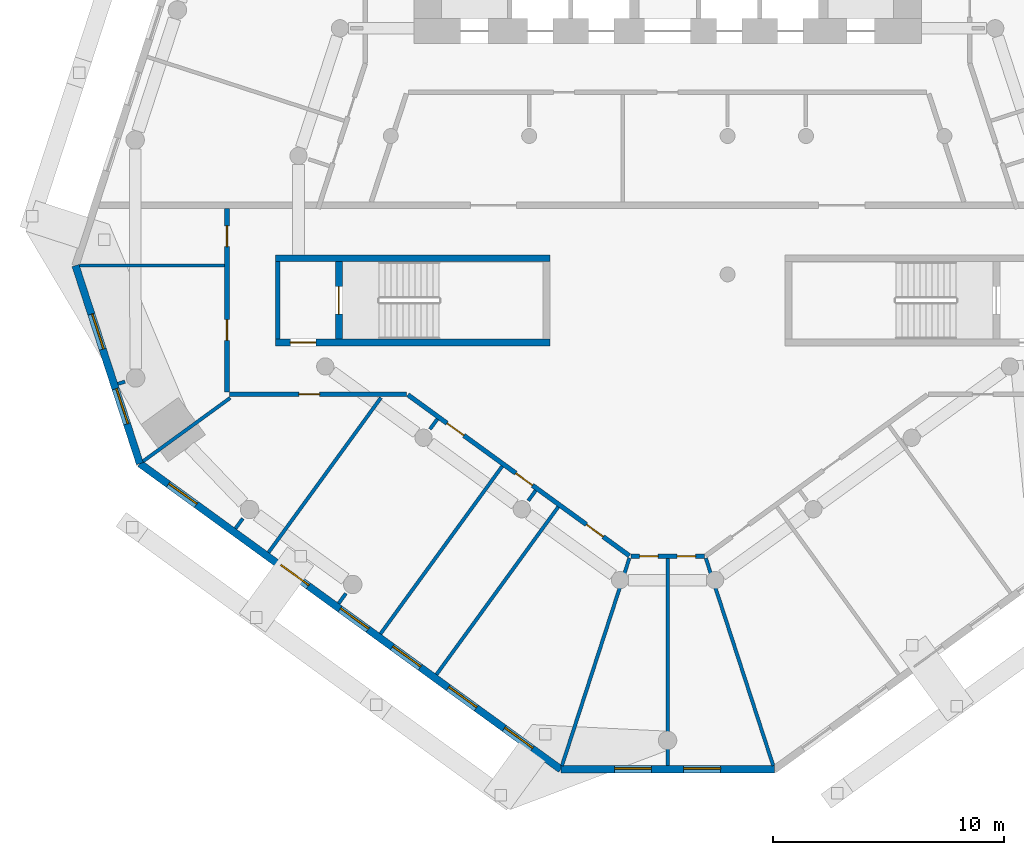
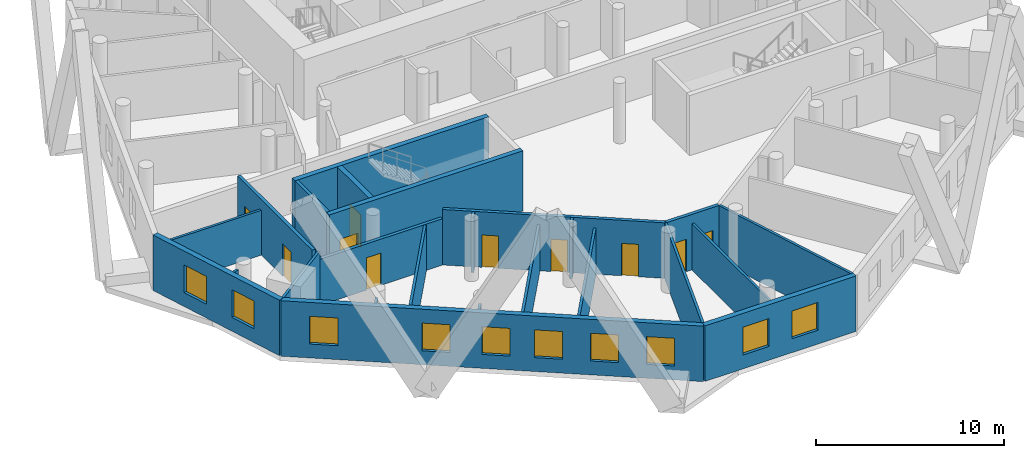
# One storey, part 3 of 10: 24 walls, 10 doors, 10 windows, 20 openings.
"""IFC4 building model written with IfcOpenShell, lengths in metres."""

from ifc_helpers import new_model, si_unit, direction, frame, frame_2d, origin, place, context, subcontext, project, spatial, rectangle, extrude, material, layer, layer_set, type_object, element, fill, save


model = new_model("IFC4")

# Units and contexts
model_context = context("Model", 3, precision=1e-05, world=origin(), true_north=direction((0.0, 1.0)))
body_context = subcontext(model_context, "Body", "Model", "MODEL_VIEW")
ifc_project = project(units=[si_unit("LENGTHUNIT", "METRE"), si_unit("AREAUNIT", "SQUARE_METRE"), si_unit("VOLUMEUNIT", "CUBIC_METRE"), si_unit("PLANEANGLEUNIT", "RADIAN"), si_unit("MASSUNIT", "GRAM", prefix="KILO")], contexts=[model_context])

# Site, building, storey
site_placement = place(None, origin())
site = spatial("IfcSite", under=ifc_project, at=site_placement, CompositionType="ELEMENT")
building_placement = place(site_placement, origin())
building = spatial("IfcBuilding", under=site, at=building_placement, Name="White Candle Pilgrim Tower", CompositionType="ELEMENT")
storey_placement = place(building_placement, frame((0.0, 0.0, 102.5)))
storey = spatial("IfcBuildingStorey", under=building, at=storey_placement, Name="L22", CompositionType="ELEMENT", Elevation=102.5)

# Wall
ifc_material_1 = material(Name="Concrete C60/75", Category="concrete")
ifc_layer_1 = layer(ifc_material_1, 0.199951171875)
ifc_layer_set_1 = layer_set([ifc_layer_1], Name="Core wall 200 mm Concrete C60/75")
wall_type_1 = type_object("IfcWallType", Name="Core wall 200 mm Concrete C60/75", PredefinedType="SHEAR", material=ifc_layer_set_1)
wall_1_placement = place(storey_placement, frame((53.10009765625, 58.199951171875, 0.0), z_axis=(0.0, 0.0, 1.0), x_axis=(0.0, 1.0, 0.0)))
element("IfcWall", 1, at=wall_1_placement, inside=storey, type_object=wall_type_1, Name="WL-L22-C03", PredefinedType="SHEAR", context=body_context, shape_type="SweptSolid", body=[
    extrude(rectangle(XDim=3.35009765625, YDim=0.199951171875, at=frame_2d((1.675048828125, 0.0))), origin(), (0.0, 0.0, 1.0), 3.89990234375),
])

# Wall, openings, doors
ifc_material_2 = material(Name="Gypsum board on steel studs", Category="steel")
ifc_layer_2 = layer(ifc_material_2, 0.199951171875)
ifc_layer_set_2 = layer_set([ifc_layer_2], Name="Corridor wall 200 mm EI 45")
wall_type_2 = type_object("IfcWallType", Name="Corridor wall 200 mm EI 45", PredefinedType="PARTITIONING", material=ifc_layer_set_2)
wall_2_placement = place(storey_placement, frame((71.59619140625, 48.78515625, 0.0), z_axis=(0.0, 0.0, 1.0), x_axis=(-1.0, 0.0, 0.0)))
wall_2 = element("IfcWall", 2, at=wall_2_placement, inside=storey, type_object=wall_type_2, Name="WL-L22-P009", PredefinedType="PARTITIONING", context=body_context, shape_type="SweptSolid", body=[
    extrude(rectangle(XDim=3.1923828125, YDim=0.199951171875, at=frame_2d((1.59619140625, 0.0))), origin(), (0.0, 0.0, 1.0), 3.60009765625),
])
opening_1_placement = place(wall_2_placement, frame((2.0107421875, 0.0, 0.0)))
opening_1 = element("IfcOpeningElement", 3, at=opening_1_placement, cuts=wall_2, Name="Opening T07-106", PredefinedType="OPENING", context=body_context, shape_type="SweptSolid", body=[
    extrude(rectangle(XDim=0.800048828125, YDim=2.10009765625, at=frame_2d((0.39990234375, 1.050048828125))), frame((0.0, 0.10986328125, 0.0), z_axis=(0.0, -1.0, 0.0), x_axis=(1.0, 0.0, 0.0)), (0.0, 0.0, 1.0), 0.219970703125),
])
opening_2_placement = place(wall_2_placement, frame((0.3818359375, 0.0, 0.0)))
opening_2 = element("IfcOpeningElement", 4, at=opening_2_placement, cuts=wall_2, Name="Opening T07-107", PredefinedType="OPENING", context=body_context, shape_type="SweptSolid", body=[
    extrude(rectangle(XDim=0.800048828125, YDim=2.10009765625, at=frame_2d((0.39990234375, 1.050048828125))), frame((0.0, 0.10986328125, 0.0), z_axis=(0.0, -1.0, 0.0), x_axis=(1.0, 0.0, 0.0)), (0.0, 0.0, 1.0), 0.219970703125),
])
ifc_material_3 = material(Name="Steel door leaf", Category="steel")
door_type_1 = type_object("IfcDoorType", Name="Fire door 800 x 2100 EI 30", OperationType="NOTDEFINED", PredefinedType="DOOR", material=ifc_material_3)
door_1_placement = place(opening_1_placement, origin())
door_1 = element("IfcDoor", 5, at=door_1_placement, inside=storey, type_object=door_type_1, Name="Door T07-106", OperationType="SINGLE_SWING_RIGHT", OverallHeight=2.10009765625, OverallWidth=0.800048828125, PredefinedType="DOOR", context=body_context, shape_type="SweptSolid", body=[
    extrude(rectangle(XDim=0.800048828125, YDim=2.10009765625, at=frame_2d((0.39990234375, 1.050048828125))), frame((0.0, 0.02490234375, 0.0), z_axis=(0.0, -1.0, 0.0), x_axis=(1.0, 0.0, 0.0)), (0.0, 0.0, 1.0), 0.050048828125),
])
fill(opening_1, door_1)
door_2_placement = place(opening_2_placement, origin())
door_2 = element("IfcDoor", 6, at=door_2_placement, inside=storey, type_object=door_type_1, Name="Door T07-107", OperationType="SINGLE_SWING_LEFT", OverallHeight=2.10009765625, OverallWidth=0.800048828125, PredefinedType="DOOR", context=body_context, shape_type="SweptSolid", body=[
    extrude(rectangle(XDim=0.800048828125, YDim=2.10009765625, at=frame_2d((0.39990234375, 1.050048828125))), frame((0.0, 0.02490234375, 0.0), z_axis=(0.0, -1.0, 0.0), x_axis=(1.0, 0.0, 0.0)), (0.0, 0.0, 1.0), 0.050048828125),
])
fill(opening_2, door_2)

wall_3_placement = place(storey_placement, frame((68.344970703125, 48.80419921875, 0.0), z_axis=(0.0, 0.0, 1.0), x_axis=(-0.809017945603, 0.587783943037, 0.0)))
wall_3 = element("IfcWall", 7, at=wall_3_placement, inside=storey, type_object=wall_type_2, Name="WL-L22-P010", PredefinedType="PARTITIONING", context=body_context, shape_type="SweptSolid", body=[
    extrude(rectangle(XDim=11.86962890625, YDim=0.199951171875, at=frame_2d((5.934814453125, 0.0))), origin(), (0.0, 0.0, 1.0), 3.60009765625),
])
opening_3_placement = place(wall_3_placement, frame((8.87158203125, 0.0, 0.0)))
opening_3 = element("IfcOpeningElement", 8, at=opening_3_placement, cuts=wall_3, Name="Opening T07-103", PredefinedType="OPENING", context=body_context, shape_type="SweptSolid", body=[
    extrude(rectangle(XDim=0.89990234375, YDim=2.10009765625, at=frame_2d((0.449951171875, 1.050048828125))), frame((0.0, 0.10986328125, 0.0), z_axis=(0.0, -1.0, 0.0), x_axis=(1.0, 0.0, 0.0)), (0.0, 0.0, 1.0), 0.219970703125),
])
opening_4_placement = place(wall_3_placement, frame((5.19091796875, 0.0, 0.0)))
opening_4 = element("IfcOpeningElement", 9, at=opening_4_placement, cuts=wall_3, Name="Opening T07-104", PredefinedType="OPENING", context=body_context, shape_type="SweptSolid", body=[
    extrude(rectangle(XDim=0.89990234375, YDim=2.10009765625, at=frame_2d((0.449951171875, 1.050048828125))), frame((0.0, 0.10986328125, 0.0), z_axis=(0.0, -1.0, 0.0), x_axis=(1.0, 0.0, 0.0)), (0.0, 0.0, 1.0), 0.219970703125),
])
opening_5_placement = place(wall_3_placement, frame((1.404296875, 0.0, 0.0)))
opening_5 = element("IfcOpeningElement", 10, at=opening_5_placement, cuts=wall_3, Name="Opening T07-105", PredefinedType="OPENING", context=body_context, shape_type="SweptSolid", body=[
    extrude(rectangle(XDim=0.89990234375, YDim=2.10009765625, at=frame_2d((0.449951171875, 1.050048828125))), frame((0.0, 0.10986328125, 0.0), z_axis=(0.0, -1.0, 0.0), x_axis=(1.0, 0.0, 0.0)), (0.0, 0.0, 1.0), 0.219970703125),
])
door_type_2 = type_object("IfcDoorType", Name="Fire door 900 x 2100 EI 30", OperationType="NOTDEFINED", PredefinedType="DOOR", material=ifc_material_3)
door_3_placement = place(opening_3_placement, origin())
door_3 = element("IfcDoor", 11, at=door_3_placement, inside=storey, type_object=door_type_2, Name="Door T07-103", OperationType="SINGLE_SWING_LEFT", OverallHeight=2.10009765625, OverallWidth=0.89990234375, PredefinedType="DOOR", context=body_context, shape_type="SweptSolid", body=[
    extrude(rectangle(XDim=0.89990234375, YDim=2.10009765625, at=frame_2d((0.449951171875, 1.050048828125))), frame((0.0, 0.02490234375, 0.0), z_axis=(0.0, -1.0, 0.0), x_axis=(1.0, 0.0, 0.0)), (0.0, 0.0, 1.0), 0.050048828125),
])
fill(opening_3, door_3)
door_4_placement = place(opening_4_placement, origin())
door_4 = element("IfcDoor", 12, at=door_4_placement, inside=storey, type_object=door_type_2, Name="Door T07-104", OperationType="SINGLE_SWING_RIGHT", OverallHeight=2.10009765625, OverallWidth=0.89990234375, PredefinedType="DOOR", context=body_context, shape_type="SweptSolid", body=[
    extrude(rectangle(XDim=0.89990234375, YDim=2.10009765625, at=frame_2d((0.449951171875, 1.050048828125))), frame((0.0, 0.02490234375, 0.0), z_axis=(0.0, -1.0, 0.0), x_axis=(1.0, 0.0, 0.0)), (0.0, 0.0, 1.0), 0.050048828125),
])
fill(opening_4, door_4)
door_5_placement = place(opening_5_placement, origin())
door_5 = element("IfcDoor", 13, at=door_5_placement, inside=storey, type_object=door_type_2, Name="Door T07-105", OperationType="SINGLE_SWING_LEFT", OverallHeight=2.10009765625, OverallWidth=0.89990234375, PredefinedType="DOOR", context=body_context, shape_type="SweptSolid", body=[
    extrude(rectangle(XDim=0.89990234375, YDim=2.10009765625, at=frame_2d((0.449951171875, 1.050048828125))), frame((0.0, 0.02490234375, 0.0), z_axis=(0.0, -1.0, 0.0), x_axis=(1.0, 0.0, 0.0)), (0.0, 0.0, 1.0), 0.050048828125),
])
fill(opening_5, door_5)

# Wall, opening, door
wall_4_placement = place(storey_placement, frame((58.68359375, 55.800048828125, 0.0), z_axis=(0.0, 0.0, 1.0), x_axis=(-1.0, 0.0, 0.0)))
wall_4 = element("IfcWall", 14, at=wall_4_placement, inside=storey, type_object=wall_type_2, Name="WL-L22-P011", PredefinedType="PARTITIONING", context=body_context, shape_type="SweptSolid", body=[
    extrude(rectangle(XDim=7.68359375, YDim=0.199951171875, at=frame_2d((3.841796875, 0.0))), origin(), (0.0, 0.0, 1.0), 3.0),
])
opening_6_placement = place(wall_4_placement, frame((3.767822265625, 0.0, 0.0)))
opening_6 = element("IfcOpeningElement", 15, at=opening_6_placement, cuts=wall_4, Name="Opening T07-102", PredefinedType="OPENING", context=body_context, shape_type="SweptSolid", body=[
    extrude(rectangle(XDim=0.89990234375, YDim=2.10009765625, at=frame_2d((0.449951171875, 1.050048828125))), frame((0.0, 0.10986328125, 0.0), z_axis=(0.0, -1.0, 0.0), x_axis=(1.0, 0.0, 0.0)), (0.0, 0.0, 1.0), 0.219970703125),
])
door_6_placement = place(opening_6_placement, origin())
door_6 = element("IfcDoor", 16, at=door_6_placement, inside=storey, type_object=door_type_2, Name="Door T07-102", OperationType="SINGLE_SWING_RIGHT", OverallHeight=2.10009765625, OverallWidth=0.89990234375, PredefinedType="DOOR", context=body_context, shape_type="SweptSolid", body=[
    extrude(rectangle(XDim=0.89990234375, YDim=2.10009765625, at=frame_2d((0.449951171875, 1.050048828125))), frame((0.0, 0.02490234375, 0.0), z_axis=(0.0, -1.0, 0.0), x_axis=(1.0, 0.0, 0.0)), (0.0, 0.0, 1.0), 0.050048828125),
])
fill(opening_6, door_6)

# Wall, openings, doors
wall_5_placement = place(storey_placement, frame((50.89990234375, 55.89990234375, 0.0), z_axis=(0.0, 0.0, 1.0), x_axis=(0.0, 1.0, 0.0)))
wall_5 = element("IfcWall", 17, at=wall_5_placement, inside=storey, type_object=wall_type_2, Name="WL-L22-P012", PredefinedType="PARTITIONING", context=body_context, shape_type="SweptSolid", body=[
    extrude(rectangle(XDim=7.9501953125, YDim=0.199951171875, at=frame_2d((3.97509765625, 0.0))), origin(), (0.0, 0.0, 1.0), 3.60009765625),
])
opening_7_placement = place(wall_5_placement, frame((2.243408203125, 0.0, 0.0)))
opening_7 = element("IfcOpeningElement", 18, at=opening_7_placement, cuts=wall_5, Name="Opening T07-101", PredefinedType="OPENING", context=body_context, shape_type="SweptSolid", body=[
    extrude(rectangle(XDim=0.89990234375, YDim=2.10009765625, at=frame_2d((0.449951171875, 1.050048828125))), frame((0.0, 0.10986328125, 0.0), z_axis=(0.0, -1.0, 0.0), x_axis=(1.0, 0.0, 0.0)), (0.0, 0.0, 1.0), 0.219970703125),
])
opening_8_placement = place(wall_5_placement, frame((6.305908203125, 0.0, 0.0)))
opening_8 = element("IfcOpeningElement", 19, at=opening_8_placement, cuts=wall_5, Name="Opening T07-116", PredefinedType="OPENING", context=body_context, shape_type="SweptSolid", body=[
    extrude(rectangle(XDim=0.89990234375, YDim=2.10009765625, at=frame_2d((0.449951171875, 1.050048828125))), frame((0.0, 0.10986328125, 0.0), z_axis=(0.0, -1.0, 0.0), x_axis=(1.0, 0.0, 0.0)), (0.0, 0.0, 1.0), 0.219970703125),
])
door_7_placement = place(opening_7_placement, origin())
door_7 = element("IfcDoor", 20, at=door_7_placement, inside=storey, type_object=door_type_2, Name="Door T07-101", OperationType="SINGLE_SWING_LEFT", OverallHeight=2.10009765625, OverallWidth=0.89990234375, PredefinedType="DOOR", context=body_context, shape_type="SweptSolid", body=[
    extrude(rectangle(XDim=0.89990234375, YDim=2.10009765625, at=frame_2d((0.449951171875, 1.050048828125))), frame((0.0, 0.02490234375, 0.0), z_axis=(0.0, -1.0, 0.0), x_axis=(1.0, 0.0, 0.0)), (0.0, 0.0, 1.0), 0.050048828125),
])
fill(opening_7, door_7)
door_8_placement = place(opening_8_placement, origin())
door_8 = element("IfcDoor", 21, at=door_8_placement, inside=storey, type_object=door_type_2, Name="Door T07-116", OperationType="SINGLE_SWING_RIGHT", OverallHeight=2.10009765625, OverallWidth=0.89990234375, PredefinedType="DOOR", context=body_context, shape_type="SweptSolid", body=[
    extrude(rectangle(XDim=0.89990234375, YDim=2.10009765625, at=frame_2d((0.449951171875, 1.050048828125))), frame((0.0, 0.02490234375, 0.0), z_axis=(0.0, -1.0, 0.0), x_axis=(1.0, 0.0, 0.0)), (0.0, 0.0, 1.0), 0.050048828125),
])
fill(opening_8, door_8)

# Wall, openings, windows
ifc_material_4 = material(Name="Precast concrete C40/50", Category="concrete")
ifc_layer_3 = layer(ifc_material_4, 0.320068359375)
ifc_layer_set_3 = layer_set([ifc_layer_3], Name="Facade wall EW1 precast concrete C40/50 pier wall with timber-lined reveals")
wall_type_3 = type_object("IfcWallType", Name="Facade wall EW1 precast concrete C40/50 pier wall with timber-lined reveals", PredefinedType="SOLIDWALL", material=ifc_layer_set_3)
wall_6_placement = place(storey_placement, frame((44.33447265625, 61.38671875, 0.0), z_axis=(0.0, 0.0, 1.0), x_axis=(0.309014528868, -0.951057317384, 0.0)))
wall_6 = element("IfcWall", 22, at=wall_6_placement, inside=storey, type_object=wall_type_3, Name="Facade wall L22 W chamfer", PredefinedType="SOLIDWALL", context=body_context, shape_type="SweptSolid", body=[
    extrude(rectangle(XDim=9.028076171875, YDim=0.320068359375, at=frame_2d((4.51416015625, 0.0))), origin(), (0.0, 0.0, 1.0), 3.60009765625),
])
opening_9_placement = place(wall_6_placement, frame((2.214111328125, 0.0, 0.89990234375)))
opening_9 = element("IfcOpeningElement", 23, at=opening_9_placement, cuts=wall_6, Name="Opening W2", PredefinedType="OPENING", context=body_context, shape_type="SweptSolid", body=[
    extrude(rectangle(XDim=1.60009765625, YDim=1.800048828125, at=frame_2d((0.800048828125, 0.89990234375))), frame((0.0, 0.169921875, 0.0), z_axis=(0.0, -1.0, 0.0), x_axis=(1.0, 0.0, 0.0)), (0.0, 0.0, 1.0), 0.340087890625),
])
opening_10_placement = place(wall_6_placement, frame((5.622314453125, 0.0, 0.89990234375)))
opening_10 = element("IfcOpeningElement", 24, at=opening_10_placement, cuts=wall_6, Name="Opening W2", PredefinedType="OPENING", context=body_context, shape_type="SweptSolid", body=[
    extrude(rectangle(XDim=1.60009765625, YDim=1.800048828125, at=frame_2d((0.800048828125, 0.89990234375))), frame((0.0, 0.169921875, 0.0), z_axis=(0.0, -1.0, 0.0), x_axis=(1.0, 0.0, 0.0)), (0.0, 0.0, 1.0), 0.340087890625),
])
ifc_material_5 = material(Name="Timber frame with triple glazing", Category="wood")
window_type_1 = type_object("IfcWindowType", Name="Window W2 1600x1800 timber frame triple glazing", PartitioningType="SINGLE_PANEL", PredefinedType="WINDOW", material=ifc_material_5)
window_1_placement = place(opening_9_placement, origin())
window_1 = element("IfcWindow", 25, at=window_1_placement, inside=storey, type_object=window_type_1, Name="Window W2 L22 W chamfer 1", OverallHeight=1.800048828125, OverallWidth=1.60009765625, PartitioningType="SINGLE_PANEL", PredefinedType="WINDOW", context=body_context, shape_type="SweptSolid", body=[
    extrude(rectangle(XDim=1.60009765625, YDim=1.800048828125, at=frame_2d((0.800048828125, 0.89990234375))), frame((0.0, 0.070068359375, 0.0), z_axis=(0.0, -1.0, 0.0), x_axis=(1.0, 0.0, 0.0)), (0.0, 0.0, 1.0), 0.06005859375),
])
fill(opening_9, window_1)
window_2_placement = place(opening_10_placement, origin())
window_2 = element("IfcWindow", 26, at=window_2_placement, inside=storey, type_object=window_type_1, Name="Window W2 L22 W chamfer 2", OverallHeight=1.800048828125, OverallWidth=1.60009765625, PartitioningType="SINGLE_PANEL", PredefinedType="WINDOW", context=body_context, shape_type="SweptSolid", body=[
    extrude(rectangle(XDim=1.60009765625, YDim=1.800048828125, at=frame_2d((0.800048828125, 0.89990234375))), frame((0.0, 0.070068359375, 0.0), z_axis=(0.0, -1.0, 0.0), x_axis=(1.0, 0.0, 0.0)), (0.0, 0.0, 1.0), 0.06005859375),
])
fill(opening_10, window_2)

wall_7_placement = place(storey_placement, frame((47.124267578125, 52.800537109375, 0.0), z_axis=(0.0, 0.0, 1.0), x_axis=(0.809019687389, -0.587781545659, 0.0)))
wall_7 = element("IfcWall", 27, at=wall_7_placement, inside=storey, type_object=wall_type_3, Name="Facade wall L22 SW", PredefinedType="SOLIDWALL", context=body_context, shape_type="SweptSolid", body=[
    extrude(rectangle(XDim=22.551513671875, YDim=0.320068359375, at=frame_2d((11.27587890625, 0.0))), origin(), (0.0, 0.0, 1.0), 3.60009765625),
])
opening_11_placement = place(wall_7_placement, frame((1.52587890625, 0.0, 0.89990234375)))
opening_11 = element("IfcOpeningElement", 28, at=opening_11_placement, cuts=wall_7, Name="Opening W1", PredefinedType="OPENING", context=body_context, shape_type="SweptSolid", body=[
    extrude(rectangle(XDim=1.5, YDim=1.800048828125, at=frame_2d((0.75, 0.89990234375))), frame((0.0, 0.169921875, 0.0), z_axis=(0.0, -1.0, 0.0), x_axis=(1.0, 0.0, 0.0)), (0.0, 0.0, 1.0), 0.340087890625),
])
opening_12_placement = place(wall_7_placement, frame((7.52587890625, 0.0, 0.89990234375)))
opening_12 = element("IfcOpeningElement", 29, at=opening_12_placement, cuts=wall_7, Name="Opening W1", PredefinedType="OPENING", context=body_context, shape_type="SweptSolid", body=[
    extrude(rectangle(XDim=1.5, YDim=1.800048828125, at=frame_2d((0.75, 0.89990234375))), frame((0.0, 0.169921875, 0.0), z_axis=(0.0, -1.0, 0.0), x_axis=(1.0, 0.0, 0.0)), (0.0, 0.0, 1.0), 0.340087890625),
])
opening_13_placement = place(wall_7_placement, frame((10.725830078125, 0.0, 0.89990234375)))
opening_13 = element("IfcOpeningElement", 30, at=opening_13_placement, cuts=wall_7, Name="Opening W1", PredefinedType="OPENING", context=body_context, shape_type="SweptSolid", body=[
    extrude(rectangle(XDim=1.5, YDim=1.800048828125, at=frame_2d((0.75, 0.89990234375))), frame((0.0, 0.169921875, 0.0), z_axis=(0.0, -1.0, 0.0), x_axis=(1.0, 0.0, 0.0)), (0.0, 0.0, 1.0), 0.340087890625),
])
opening_14_placement = place(wall_7_placement, frame((13.52587890625, 0.0, 0.89990234375)))
opening_14 = element("IfcOpeningElement", 31, at=opening_14_placement, cuts=wall_7, Name="Opening W1", PredefinedType="OPENING", context=body_context, shape_type="SweptSolid", body=[
    extrude(rectangle(XDim=1.5, YDim=1.800048828125, at=frame_2d((0.75, 0.89990234375))), frame((0.0, 0.169921875, 0.0), z_axis=(0.0, -1.0, 0.0), x_axis=(1.0, 0.0, 0.0)), (0.0, 0.0, 1.0), 0.340087890625),
])
opening_15_placement = place(wall_7_placement, frame((16.52587890625, 0.0, 0.89990234375)))
opening_15 = element("IfcOpeningElement", 32, at=opening_15_placement, cuts=wall_7, Name="Opening W1", PredefinedType="OPENING", context=body_context, shape_type="SweptSolid", body=[
    extrude(rectangle(XDim=1.5, YDim=1.800048828125, at=frame_2d((0.75, 0.89990234375))), frame((0.0, 0.169921875, 0.0), z_axis=(0.0, -1.0, 0.0), x_axis=(1.0, 0.0, 0.0)), (0.0, 0.0, 1.0), 0.340087890625),
])
opening_16_placement = place(wall_7_placement, frame((19.52587890625, 0.0, 0.89990234375)))
opening_16 = element("IfcOpeningElement", 33, at=opening_16_placement, cuts=wall_7, Name="Opening W1", PredefinedType="OPENING", context=body_context, shape_type="SweptSolid", body=[
    extrude(rectangle(XDim=1.5, YDim=1.800048828125, at=frame_2d((0.75, 0.89990234375))), frame((0.0, 0.169921875, 0.0), z_axis=(0.0, -1.0, 0.0), x_axis=(1.0, 0.0, 0.0)), (0.0, 0.0, 1.0), 0.340087890625),
])
window_type_2 = type_object("IfcWindowType", Name="Window W1 1500x1800 timber frame triple glazing", PartitioningType="SINGLE_PANEL", PredefinedType="WINDOW", material=ifc_material_5)
window_3_placement = place(opening_11_placement, origin())
window_3 = element("IfcWindow", 34, at=window_3_placement, inside=storey, type_object=window_type_2, Name="Window W1 L22 SW 1", OverallHeight=1.800048828125, OverallWidth=1.5, PartitioningType="SINGLE_PANEL", PredefinedType="WINDOW", context=body_context, shape_type="SweptSolid", body=[
    extrude(rectangle(XDim=1.5, YDim=1.800048828125, at=frame_2d((0.75, 0.89990234375))), frame((0.0, 0.070068359375, 0.0), z_axis=(0.0, -1.0, 0.0), x_axis=(1.0, 0.0, 0.0)), (0.0, 0.0, 1.0), 0.06005859375),
])
fill(opening_11, window_3)
window_4_placement = place(opening_12_placement, origin())
window_4 = element("IfcWindow", 35, at=window_4_placement, inside=storey, type_object=window_type_2, Name="Window W1 L22 SW 3", OverallHeight=1.800048828125, OverallWidth=1.5, PartitioningType="SINGLE_PANEL", PredefinedType="WINDOW", context=body_context, shape_type="SweptSolid", body=[
    extrude(rectangle(XDim=1.5, YDim=1.800048828125, at=frame_2d((0.75, 0.89990234375))), frame((0.0, 0.070068359375, 0.0), z_axis=(0.0, -1.0, 0.0), x_axis=(1.0, 0.0, 0.0)), (0.0, 0.0, 1.0), 0.06005859375),
])
fill(opening_12, window_4)
window_5_placement = place(opening_13_placement, origin())
window_5 = element("IfcWindow", 36, at=window_5_placement, inside=storey, type_object=window_type_2, Name="Window W1 L22 SW 4", OverallHeight=1.800048828125, OverallWidth=1.5, PartitioningType="SINGLE_PANEL", PredefinedType="WINDOW", context=body_context, shape_type="SweptSolid", body=[
    extrude(rectangle(XDim=1.5, YDim=1.800048828125, at=frame_2d((0.75, 0.89990234375))), frame((0.0, 0.070068359375, 0.0), z_axis=(0.0, -1.0, 0.0), x_axis=(1.0, 0.0, 0.0)), (0.0, 0.0, 1.0), 0.06005859375),
])
fill(opening_13, window_5)
window_6_placement = place(opening_14_placement, origin())
window_6 = element("IfcWindow", 37, at=window_6_placement, inside=storey, type_object=window_type_2, Name="Window W1 L22 SW 5", OverallHeight=1.800048828125, OverallWidth=1.5, PartitioningType="SINGLE_PANEL", PredefinedType="WINDOW", context=body_context, shape_type="SweptSolid", body=[
    extrude(rectangle(XDim=1.5, YDim=1.800048828125, at=frame_2d((0.75, 0.89990234375))), frame((0.0, 0.070068359375, 0.0), z_axis=(0.0, -1.0, 0.0), x_axis=(1.0, 0.0, 0.0)), (0.0, 0.0, 1.0), 0.06005859375),
])
fill(opening_14, window_6)
window_7_placement = place(opening_15_placement, origin())
window_7 = element("IfcWindow", 38, at=window_7_placement, inside=storey, type_object=window_type_2, Name="Window W1 L22 SW 6", OverallHeight=1.800048828125, OverallWidth=1.5, PartitioningType="SINGLE_PANEL", PredefinedType="WINDOW", context=body_context, shape_type="SweptSolid", body=[
    extrude(rectangle(XDim=1.5, YDim=1.800048828125, at=frame_2d((0.75, 0.89990234375))), frame((0.0, 0.070068359375, 0.0), z_axis=(0.0, -1.0, 0.0), x_axis=(1.0, 0.0, 0.0)), (0.0, 0.0, 1.0), 0.06005859375),
])
fill(opening_15, window_7)
window_8_placement = place(opening_16_placement, origin())
window_8 = element("IfcWindow", 39, at=window_8_placement, inside=storey, type_object=window_type_2, Name="Window W1 L22 SW 7", OverallHeight=1.800048828125, OverallWidth=1.5, PartitioningType="SINGLE_PANEL", PredefinedType="WINDOW", context=body_context, shape_type="SweptSolid", body=[
    extrude(rectangle(XDim=1.5, YDim=1.800048828125, at=frame_2d((0.75, 0.89990234375))), frame((0.0, 0.070068359375, 0.0), z_axis=(0.0, -1.0, 0.0), x_axis=(1.0, 0.0, 0.0)), (0.0, 0.0, 1.0), 0.06005859375),
])
fill(opening_16, window_8)

wall_8_placement = place(storey_placement, frame((65.368896484375, 39.545166015625, 0.0), z_axis=(0.0, 0.0, 1.0), x_axis=(1.0, 0.0, 0.0)))
wall_8 = element("IfcWall", 40, at=wall_8_placement, inside=storey, type_object=wall_type_3, Name="Facade wall L22 S chamfer", PredefinedType="SOLIDWALL", context=body_context, shape_type="SweptSolid", body=[
    extrude(rectangle(XDim=9.26220703125, YDim=0.320068359375, at=frame_2d((4.631103515625, 0.0))), origin(), (0.0, 0.0, 1.0), 3.60009765625),
])
opening_17_placement = place(wall_8_placement, frame((2.3310546875, 0.0, 0.89990234375)))
opening_17 = element("IfcOpeningElement", 41, at=opening_17_placement, cuts=wall_8, Name="Opening W2", PredefinedType="OPENING", context=body_context, shape_type="SweptSolid", body=[
    extrude(rectangle(XDim=1.60009765625, YDim=1.800048828125, at=frame_2d((0.800048828125, 0.89990234375))), frame((0.0, 0.169921875, 0.0), z_axis=(0.0, -1.0, 0.0), x_axis=(1.0, 0.0, 0.0)), (0.0, 0.0, 1.0), 0.340087890625),
])
opening_18_placement = place(wall_8_placement, frame((5.3310546875, 0.0, 0.89990234375)))
opening_18 = element("IfcOpeningElement", 42, at=opening_18_placement, cuts=wall_8, Name="Opening W2", PredefinedType="OPENING", context=body_context, shape_type="SweptSolid", body=[
    extrude(rectangle(XDim=1.60009765625, YDim=1.800048828125, at=frame_2d((0.800048828125, 0.89990234375))), frame((0.0, 0.169921875, 0.0), z_axis=(0.0, -1.0, 0.0), x_axis=(1.0, 0.0, 0.0)), (0.0, 0.0, 1.0), 0.340087890625),
])
window_9_placement = place(opening_17_placement, origin())
window_9 = element("IfcWindow", 43, at=window_9_placement, inside=storey, type_object=window_type_1, Name="Window W2 L22 S chamfer 1", OverallHeight=1.800048828125, OverallWidth=1.60009765625, PartitioningType="SINGLE_PANEL", PredefinedType="WINDOW", context=body_context, shape_type="SweptSolid", body=[
    extrude(rectangle(XDim=1.60009765625, YDim=1.800048828125, at=frame_2d((0.800048828125, 0.89990234375))), frame((0.0, 0.070068359375, 0.0), z_axis=(0.0, -1.0, 0.0), x_axis=(1.0, 0.0, 0.0)), (0.0, 0.0, 1.0), 0.06005859375),
])
fill(opening_17, window_9)
window_10_placement = place(opening_18_placement, origin())
window_10 = element("IfcWindow", 44, at=window_10_placement, inside=storey, type_object=window_type_1, Name="Window W2 L22 S chamfer 2", OverallHeight=1.800048828125, OverallWidth=1.60009765625, PartitioningType="SINGLE_PANEL", PredefinedType="WINDOW", context=body_context, shape_type="SweptSolid", body=[
    extrude(rectangle(XDim=1.60009765625, YDim=1.800048828125, at=frame_2d((0.800048828125, 0.89990234375))), frame((0.0, 0.070068359375, 0.0), z_axis=(0.0, -1.0, 0.0), x_axis=(1.0, 0.0, 0.0)), (0.0, 0.0, 1.0), 0.06005859375),
])
fill(opening_18, window_10)

# Walls
ifc_layer_4 = layer(ifc_material_2, 0.14990234375)
ifc_layer_set_4 = layer_set([ifc_layer_4], Name="Partition 150 mm EI 60")
wall_type_4 = type_object("IfcWallType", Name="Partition 150 mm EI 60", PredefinedType="PARTITIONING", material=ifc_layer_set_4)
wall_9_placement = place(storey_placement, frame((44.502685546875, 61.38671875, 0.0), z_axis=(0.0, 0.0, 1.0), x_axis=(1.0, 0.0, 0.0)))
element("IfcWall", 45, at=wall_9_placement, inside=storey, type_object=wall_type_4, Name="WL-L22-P017", PredefinedType="PARTITIONING", context=body_context, shape_type="SweptSolid", body=[
    extrude(rectangle(XDim=6.29736328125, YDim=0.14990234375, at=frame_2d((3.148681640625, 0.0))), origin(), (0.0, 0.0, 1.0), 2.89990234375),
])
wall_10_placement = place(storey_placement, frame((47.260498046875, 52.8994140625, 0.0), z_axis=(0.0, 0.0, 1.0), x_axis=(0.808989118663, 0.587823618005, 0.0)))
element("IfcWall", 46, at=wall_10_placement, inside=storey, type_object=wall_type_4, Name="WL-L22-P018", PredefinedType="PARTITIONING", context=body_context, shape_type="SweptSolid", body=[
    extrude(rectangle(XDim=4.671630859375, YDim=0.14990234375, at=frame_2d((2.3359375, 0.0))), origin(), (0.0, 0.0, 1.0), 3.60009765625),
])
for number, where, z_axis, x_axis, name in (
    (47, (65.4208984375, 39.705078125, 0.0), (0.0, 0.0, 1.0), (0.309027729723, 0.951053028102, 0.0), "WL-L22-P019"),
    (48, (74.5791015625, 39.705078125, 0.0), (0.0, 0.0, 1.0), (-0.309027729723, 0.951053028102, 0.0), "WL-L22-P020"),
):
    element("IfcWall", number, at=place(storey_placement, frame(where, z_axis=z_axis, x_axis=x_axis)), inside=storey, type_object=wall_type_4, Name=name, PredefinedType="PARTITIONING", context=body_context, shape_type="SweptSolid", body=[
        extrude(rectangle(XDim=9.462158203125, YDim=0.14990234375, at=frame_2d((4.73095703125, 0.0))), origin(), (0.0, 0.0, 1.0), 3.60009765625),
    ])
wall_11_placement = place(storey_placement, frame((52.7001953125, 48.947265625, 0.0), z_axis=(0.0, 0.0, 1.0), x_axis=(0.58777249317, 0.809026264266, 0.0)))
element("IfcWall", 49, at=wall_11_placement, inside=storey, type_object=wall_type_4, Name="WL-L22-P028", PredefinedType="PARTITIONING", context=body_context, shape_type="SweptSolid", body=[
    extrude(rectangle(XDim=8.29248046875, YDim=0.14990234375, at=frame_2d((4.146240234375, 0.0))), origin(), (0.0, 0.0, 1.0), 3.0),
])
for number, where, z_axis, x_axis, name in (
    (50, (57.55419921875, 45.420654296875, 0.0), (0.0, 0.0, 1.0), (0.587790127827, 0.809013452069, 0.0), "WL-L22-P029"),
    (51, (59.981201171875, 43.6572265625, 0.0), (0.0, 0.0, 1.0), (0.587790127827, 0.809013452069, 0.0), "WL-L22-P030"),
    (52, (70.0, 39.705078125, 0.0), (0.0, 0.0, 1.0), (0.0, 1.0, 0.0), "WL-L22-P031"),
):
    element("IfcWall", number, at=place(storey_placement, frame(where, z_axis=z_axis, x_axis=x_axis)), inside=storey, type_object=wall_type_4, Name=name, PredefinedType="PARTITIONING", context=body_context, shape_type="SweptSolid", body=[
        extrude(rectangle(XDim=8.97998046875, YDim=0.14990234375, at=frame_2d((4.489990234375, 0.0))), origin(), (0.0, 0.0, 1.0), 3.0),
    ])
wall_12_placement = place(storey_placement, frame((46.47509765625, 56.35498046875, 0.0), z_axis=(0.0, 0.0, 1.0), x_axis=(-0.950866223674, -0.309602042428, 0.0)))
element("IfcWall", 53, at=wall_12_placement, inside=storey, type_object=wall_type_4, Name="WL-L22-P041", PredefinedType="PARTITIONING", context=body_context, shape_type="SweptSolid", body=[
    extrude(rectangle(XDim=0.321044921875, YDim=0.14990234375, at=frame_2d((0.16064453125, 0.0))), origin(), (0.0, 0.0, 1.0), 3.60009765625),
])
wall_13_placement = place(storey_placement, frame((51.583984375, 50.419677734375, 0.0), z_axis=(0.0, 0.0, 1.0), x_axis=(-0.587737494258, -0.809051690465, 0.0)))
element("IfcWall", 54, at=wall_13_placement, inside=storey, type_object=wall_type_4, Name="WL-L22-P042", PredefinedType="PARTITIONING", context=body_context, shape_type="SweptSolid", body=[
    extrude(rectangle(XDim=0.534912109375, YDim=0.14990234375, at=frame_2d((0.267578125, 0.0))), origin(), (0.0, 0.0, 1.0), 3.60009765625),
])
wall_14_placement = place(storey_placement, frame((56.053955078125, 47.169677734375, 0.0), z_axis=(0.0, 0.0, 1.0), x_axis=(-0.587844986656, -0.80897359145, 0.0)))
element("IfcWall", 55, at=wall_14_placement, inside=storey, type_object=wall_type_4, Name="WL-L22-P043", PredefinedType="PARTITIONING", context=body_context, shape_type="SweptSolid", body=[
    extrude(rectangle(XDim=0.533203125, YDim=0.14990234375, at=frame_2d((0.2666015625, 0.0))), origin(), (0.0, 0.0, 1.0), 3.60009765625),
])
wall_15_placement = place(storey_placement, frame((59.70068359375, 54.29052734375, 0.0), z_axis=(0.0, 0.0, 1.0), x_axis=(0.587904005015, 0.808930702154, 0.0)))
element("IfcWall", 56, at=wall_15_placement, inside=storey, type_object=wall_type_4, Name="WL-L22-P046", PredefinedType="PARTITIONING", context=body_context, shape_type="SweptSolid", body=[
    extrude(rectangle(XDim=0.542236328125, YDim=0.14990234375, at=frame_2d((0.27099609375, 0.0))), origin(), (0.0, 0.0, 1.0), 3.60009765625),
])
wall_16_placement = place(storey_placement, frame((63.960693359375, 51.190673828125, 0.0), z_axis=(0.0, 0.0, 1.0), x_axis=(0.588065412804, 0.808813371714, 0.0)))
element("IfcWall", 57, at=wall_16_placement, inside=storey, type_object=wall_type_4, Name="WL-L22-P047", PredefinedType="PARTITIONING", context=body_context, shape_type="SweptSolid", body=[
    extrude(rectangle(XDim=0.54638671875, YDim=0.14990234375, at=frame_2d((0.273193359375, 0.0))), origin(), (0.0, 0.0, 1.0), 3.60009765625),
])

# Wall, opening, door
ifc_layer_5 = layer(ifc_material_1, 0.300048828125)
ifc_layer_set_5 = layer_set([ifc_layer_5], Name="Stair shaft wall 300 mm Concrete C60/75")
wall_type_5 = type_object("IfcWallType", Name="Stair shaft wall 300 mm Concrete C60/75", PredefinedType="SHEAR", material=ifc_layer_set_5)
wall_17_placement = place(storey_placement, frame((53.0, 58.050048828125, 0.0), z_axis=(0.0, 0.0, 1.0), x_axis=(1.0, 0.0, 0.0)))
wall_17 = element("IfcWall", 58, at=wall_17_placement, inside=storey, type_object=wall_type_5, Name="WL-L22-C01", PredefinedType="SHEAR", context=body_context, shape_type="SweptSolid", body=[
    extrude(rectangle(XDim=11.89990234375, YDim=0.300048828125, at=frame_2d((5.949951171875, 0.0))), origin(), (0.0, 0.0, 1.0), 3.89990234375),
])
opening_19_placement = place(wall_17_placement, frame((0.64990234375, 0.0, 0.0)))
opening_19 = element("IfcOpeningElement", 59, at=opening_19_placement, cuts=wall_17, Name="Opening T07-007", PredefinedType="OPENING", context=body_context, shape_type="SweptSolid", body=[
    extrude(rectangle(XDim=1.10009765625, YDim=2.10009765625, at=frame_2d((0.550048828125, 1.050048828125))), frame((0.0, 0.159912109375, 0.0), z_axis=(0.0, -1.0, 0.0), x_axis=(1.0, 0.0, 0.0)), (0.0, 0.0, 1.0), 0.320068359375),
])
door_type_3 = type_object("IfcDoorType", Name="Fire door 1100 x 2100 EI 60", OperationType="NOTDEFINED", PredefinedType="DOOR", material=ifc_material_3)
door_9_placement = place(opening_19_placement, origin())
door_9 = element("IfcDoor", 60, at=door_9_placement, inside=storey, type_object=door_type_3, Name="Door T07-007", OperationType="SINGLE_SWING_LEFT", OverallHeight=2.10009765625, OverallWidth=1.10009765625, PredefinedType="DOOR", context=body_context, shape_type="SweptSolid", body=[
    extrude(rectangle(XDim=1.10009765625, YDim=2.10009765625, at=frame_2d((0.550048828125, 1.050048828125))), frame((0.0, 0.02490234375, 0.0), z_axis=(0.0, -1.0, 0.0), x_axis=(1.0, 0.0, 0.0)), (0.0, 0.0, 1.0), 0.050048828125),
])
fill(opening_19, door_9)

wall_18_placement = place(storey_placement, frame((55.75, 58.199951171875, 0.0), z_axis=(0.0, 0.0, 1.0), x_axis=(0.0, 1.0, 0.0)))
wall_18 = element("IfcWall", 61, at=wall_18_placement, inside=storey, type_object=wall_type_5, Name="WL-L22-C04", PredefinedType="SHEAR", context=body_context, shape_type="SweptSolid", body=[
    extrude(rectangle(XDim=3.35009765625, YDim=0.300048828125, at=frame_2d((1.675048828125, 0.0))), origin(), (0.0, 0.0, 1.0), 3.89990234375),
])
opening_20_placement = place(wall_18_placement, frame((1.074951171875, 0.0, 0.0)))
opening_20 = element("IfcOpeningElement", 62, at=opening_20_placement, cuts=wall_18, Name="Opening T07-008", PredefinedType="OPENING", context=body_context, shape_type="SweptSolid", body=[
    extrude(rectangle(XDim=1.199951171875, YDim=2.10009765625, at=frame_2d((0.60009765625, 1.050048828125))), frame((0.0, 0.159912109375, 0.0), z_axis=(0.0, -1.0, 0.0), x_axis=(1.0, 0.0, 0.0)), (0.0, 0.0, 1.0), 0.320068359375),
])
door_type_4 = type_object("IfcDoorType", Name="Fire door 1200 x 2100 EI 60", OperationType="NOTDEFINED", PredefinedType="DOOR", material=ifc_material_3)
door_10_placement = place(opening_20_placement, frame((1.199951171875, 0.0, 0.0), z_axis=(0.0, 0.0, 1.0), x_axis=(-1.0, 0.0, 0.0)))
door_10 = element("IfcDoor", 63, at=door_10_placement, inside=storey, type_object=door_type_4, Name="Door T07-008", OperationType="SINGLE_SWING_LEFT", OverallHeight=2.10009765625, OverallWidth=1.199951171875, PredefinedType="DOOR", context=body_context, shape_type="SweptSolid", body=[
    extrude(rectangle(XDim=1.199951171875, YDim=2.10009765625, at=frame_2d((0.60009765625, 1.050048828125))), frame((0.0, 0.02490234375, 0.0), z_axis=(0.0, -1.0, 0.0), x_axis=(1.0, 0.0, 0.0)), (0.0, 0.0, 1.0), 0.050048828125),
])
fill(opening_20, door_10)

# Wall
wall_19_placement = place(storey_placement, frame((53.0, 61.699951171875, 0.0), z_axis=(0.0, 0.0, 1.0), x_axis=(1.0, 0.0, 0.0)))
element("IfcWall", 64, at=wall_19_placement, inside=storey, type_object=wall_type_5, Name="WL-L22-C09", PredefinedType="SHEAR", context=body_context, shape_type="SweptSolid", body=[
    extrude(rectangle(XDim=11.89990234375, YDim=0.300048828125, at=frame_2d((5.949951171875, 0.0))), origin(), (0.0, 0.0, 1.0), 3.89990234375),
])

save(model, "model.ifc")
